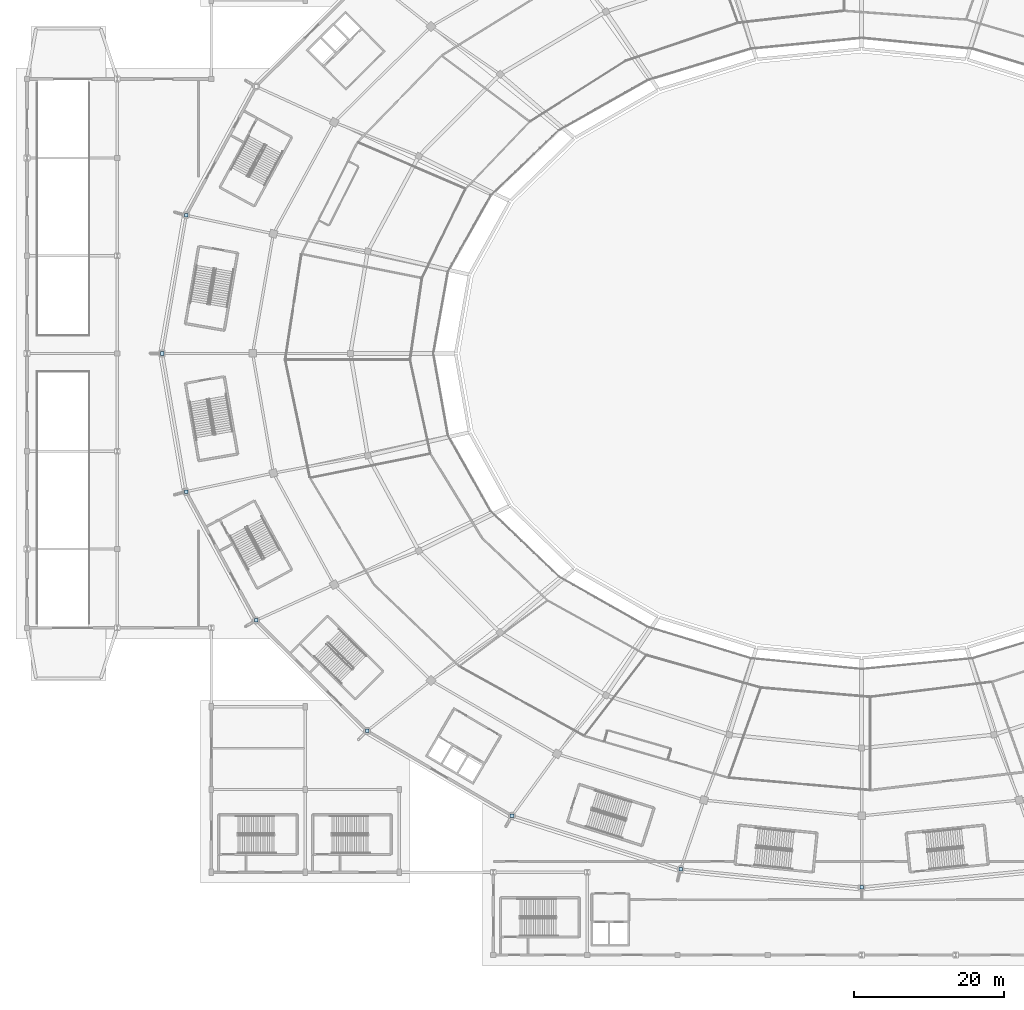
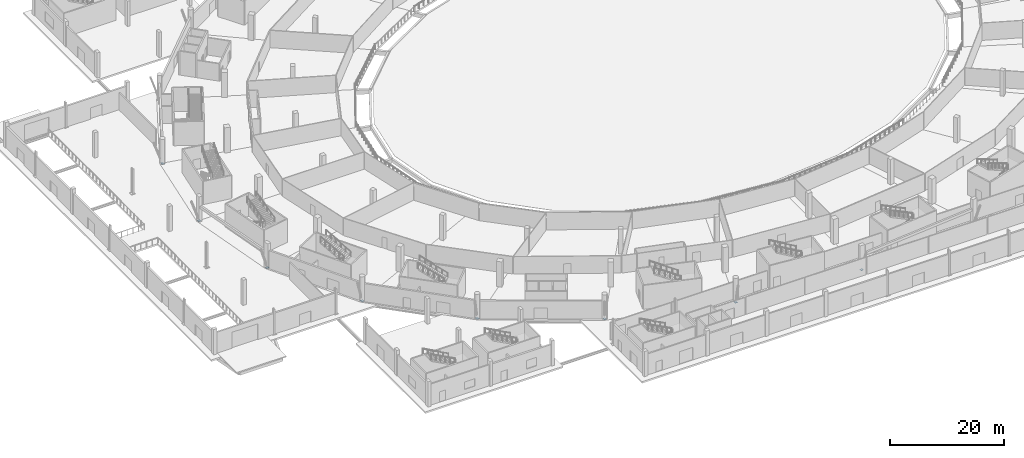
# One storey, part 32 of 82: 8 plates.
"""IFC4 building model written with IfcOpenShell, lengths in metres."""

from ifc_helpers import new_model, si_unit, direction, frame, origin, origin_2d, place, context, subcontext, project, spatial, rectangle, extrude, material, layer, layer_set, type_object, element, save


model = new_model("IFC4")

# Units and contexts
model_context = context("Model", 3, precision=1e-05, world=origin(), true_north=direction((0.0, 1.0)))
body_context = subcontext(model_context, "Body", "Model", "MODEL_VIEW")
ifc_project = project(units=[si_unit("LENGTHUNIT", "METRE"), si_unit("AREAUNIT", "SQUARE_METRE"), si_unit("VOLUMEUNIT", "CUBIC_METRE"), si_unit("PLANEANGLEUNIT", "RADIAN"), si_unit("MASSUNIT", "GRAM", prefix="KILO")], contexts=[model_context])

# Site, building, storey
site_placement = place(None, origin())
site = spatial("IfcSite", under=ifc_project, at=site_placement, CompositionType="ELEMENT")
building_placement = place(site_placement, origin())
building = spatial("IfcBuilding", under=site, at=building_placement, Name="Zlatoyarsky Gate Stadium", CompositionType="ELEMENT")
storey_placement = place(building_placement, origin())
storey = spatial("IfcBuildingStorey", under=building, at=storey_placement, Name="L00", CompositionType="ELEMENT", Elevation=0.0)

# Plates
ifc_material = material(Name="Steel S355", Category="steel")
ifc_layer = layer(ifc_material, 0.02392578125)
ifc_layer_set = layer_set([ifc_layer], Name="Steel S355")
plate_type = type_object("IfcPlateType", Name="STEEL HOLLOW CHORD SPLICE SHEET 24", PredefinedType="SHEET", material=ifc_layer_set)
for number, where, z_axis, x_axis, name in (
    (1, (21.1689453125, 98.376220703125, -0.011962890625), (0.0, 0.0, 1.0), (1.0, 0.0, 0.0), "Node closure plate ND-SP1 NCAP-L00-RSTRB-11"),
    (2, (18.0, 80.0, -0.011962890625), (0.0, 0.0, 1.0), (1.0, 0.0, 0.0), "Node closure plate ND-SP1 NCAP-L00-RSTRB-12"),
    (3, (21.1689453125, 61.623779296875, -0.011962890625), (0.0, 0.0, 1.0), (1.0, 0.0, 0.0), "Node closure plate ND-SP1 NCAP-L00-RSTRB-13"),
    (4, (30.459716796875, 44.5, -0.011962890625), (0.0, 0.0, 1.0), (1.0, 0.0, 0.0), "Node closure plate ND-SP1 NCAP-L00-RSTRB-14"),
    (5, (45.239013671875, 29.79541015625, -0.011962890625), (0.0, 0.0, 1.0), (1.0, 0.0, 0.0), "Node closure plate ND-SP1 NCAP-L00-RSTRB-15"),
    (6, (64.5, 18.51220703125, -0.011962890625), (0.0, 0.0, 1.0), (1.0, 0.0, 0.0), "Node closure plate ND-SP1 NCAP-L00-RSTRB-16"),
    (7, (86.9296875, 11.419189453125, -0.011962890625), (0.0, 0.0, 1.0), (1.0, 0.0, 0.0), "Node closure plate ND-SP1 NCAP-L00-RSTRB-17"),
    (8, (111.0, 9.0, -0.011962890625), (0.0, 0.0, 1.0), (1.0, 0.0, 0.0), "Node closure plate ND-SP1 NCAP-L00-RSTRB-18"),
):
    element("IfcPlate", number, at=place(storey_placement, frame(where, z_axis=z_axis, x_axis=x_axis)), inside=storey, type_object=plate_type, Name=name, PredefinedType="SHEET", context=body_context, shape_type="SweptSolid", body=[
        extrude(rectangle(XDim=0.47998046875, YDim=0.47998046875, at=origin_2d()), origin(), (0.0, 0.0, 1.0), 0.02392578125),
    ])

save(model, "model.ifc")
